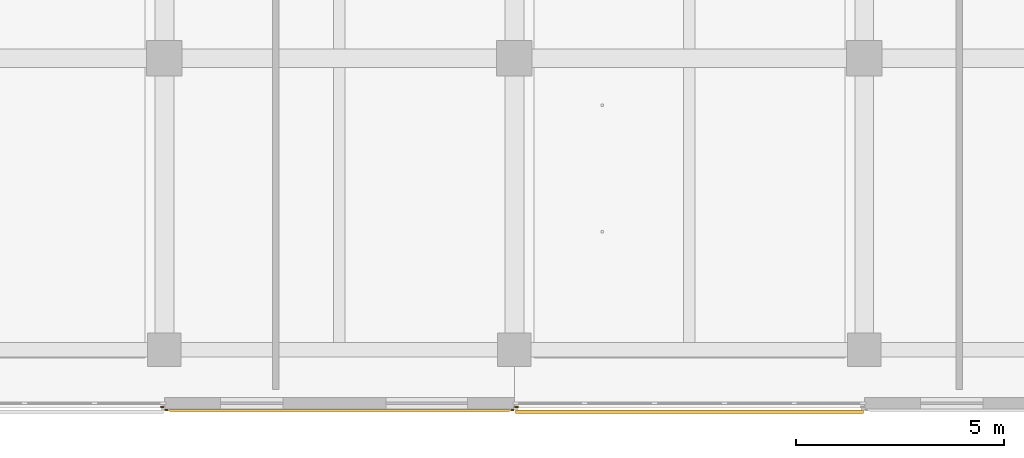
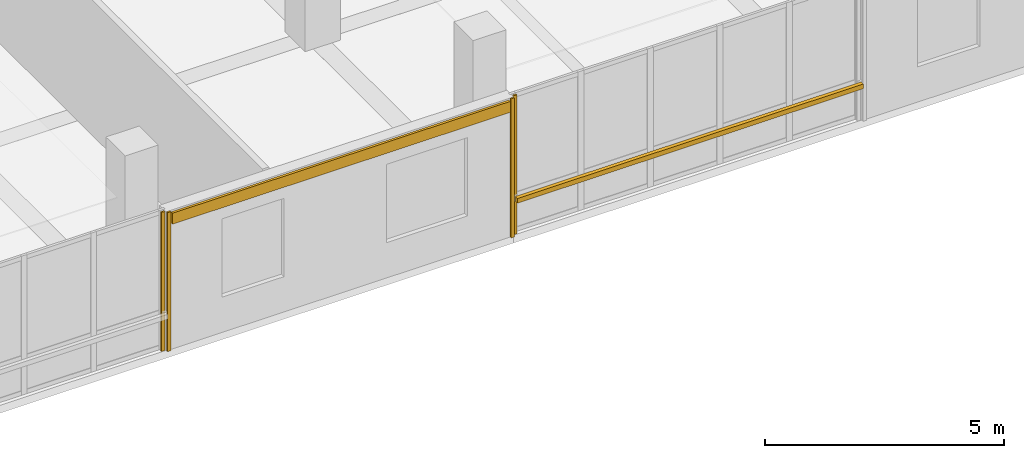
# One storey, part 24 of 36: 5 coverings, 1 shading device.
"""IFC4 building model written with IfcOpenShell, lengths in metres."""

import ifcopenshell
import ifcopenshell.guid

model = None  # the IFC model being written
_history = None  # IfcOwnerHistory: only IFC2X3 demands one
_inside = {}  # id of a spatial element -> (the spatial element, [elements in it])
_under = {}  # id of a project, library or spatial element -> (it, [spatial elements below it])
_declared = {}  # id of a project -> (the project, [libraries it declares])
_typed = {}  # id of a type object -> (the type object, [elements of that type])
_made_of = {}  # id of a material, layer set ... -> (it, [elements and type objects made of it])


def new_model(schema):
    """Start an empty IFC model of exactly this schema.

    Asked for "IFC4X3", IfcOpenShell would pick the latest addendum, in which some entities
    have other attributes; the version numbers below select the first issue.
    IFC2X3 requires an IfcOwnerHistory on every rooted entity: one is made here for all.
    """
    global model, _history
    if schema == "IFC4X3":
        model = ifcopenshell.file(schema_version=(4, 3, 0, 0))
    else:
        model = ifcopenshell.file(schema=schema)
    _inside.clear()
    _under.clear()
    _declared.clear()
    _typed.clear()
    _made_of.clear()
    _history = None
    if model.schema == "IFC2X3":
        org = make("IfcOrganization", Name="unknown")
        user = make(
            "IfcPersonAndOrganization",
            ThePerson=make("IfcPerson", FamilyName="unknown"),
            TheOrganization=org,
        )
        app = make(
            "IfcApplication",
            ApplicationDeveloper=org,
            Version="unknown",
            ApplicationFullName="unknown",
            ApplicationIdentifier="unknown",
        )
        _history = make(
            "IfcOwnerHistory",
            OwningUser=user,
            OwningApplication=app,
            ChangeAction="ADDED",
            CreationDate=0,
        )
    return model


def make(cls, **values):
    """One entity of the class cls with the attributes given. An attribute that is None is left unset."""
    return model.create_entity(
        cls, **{name: value for name, value in values.items() if value is not None}
    )


def rooted(cls, **values):
    """An entity with a GlobalId (a new one), such as an element, a storey or a relation."""
    return make(cls, GlobalId=ifcopenshell.guid.new(), OwnerHistory=_history, **values)


def si_unit(unit_type, name, prefix=None):
    """IfcSIUnit, for example si_unit("LENGTHUNIT", "METRE", prefix="MILLI")."""
    return make("IfcSIUnit", UnitType=unit_type, Prefix=prefix, Name=name)


def assignment(units):
    """IfcUnitAssignment: the units of a project."""
    return None if units is None else make("IfcUnitAssignment", Units=units)


def point(xyz):
    """IfcCartesianPoint."""
    return None if xyz is None else make("IfcCartesianPoint", Coordinates=xyz)


def direction(xyz):
    """IfcDirection."""
    return None if xyz is None else make("IfcDirection", DirectionRatios=xyz)


def frame(location, z_axis=None, x_axis=None):
    """IfcAxis2Placement3D, a coordinate frame: its origin and axes. An axis left out is left unset."""
    return make(
        "IfcAxis2Placement3D",
        Location=point(location),
        Axis=direction(z_axis),
        RefDirection=direction(x_axis),
    )


def frame_2d(location, x_axis=None):
    """IfcAxis2Placement2D, a coordinate frame in the plane: its origin and x axis."""
    return make(
        "IfcAxis2Placement2D", Location=point(location), RefDirection=direction(x_axis)
    )


def origin():
    """The frame at (0, 0, 0) with its axes left unset."""
    return frame((0.0, 0.0, 0.0))


def origin_2d():
    """The frame at (0, 0) in the plane with its x axis left unset."""
    return frame_2d((0.0, 0.0))


def place(relative_to, where):
    """IfcLocalPlacement: puts the frame where relative to a parent placement (None: the world)."""
    return make(
        "IfcLocalPlacement", PlacementRelTo=relative_to, RelativePlacement=where
    )


def context(
    kind, dimensions, precision=None, world=None, true_north=None, identifier=None
):
    """IfcGeometricRepresentationContext, for example the 3D "Model" context."""
    return make(
        "IfcGeometricRepresentationContext",
        ContextIdentifier=identifier,
        ContextType=kind,
        CoordinateSpaceDimension=dimensions,
        Precision=precision,
        WorldCoordinateSystem=world,
        TrueNorth=true_north,
    )


def subcontext(parent, identifier, kind, view, scale=None):
    """IfcGeometricRepresentationSubContext, for example "Body" below "Model"."""
    return make(
        "IfcGeometricRepresentationSubContext",
        ContextIdentifier=identifier,
        ContextType=kind,
        ParentContext=parent,
        TargetScale=scale,
        TargetView=view,
    )


def project(units=None, contexts=None):
    """IfcProject with its units and contexts."""
    return rooted(
        "IfcProject",
        Name="project",
        RepresentationContexts=contexts,
        UnitsInContext=assignment(units),
    )


def spatial(cls, under=None, at=None, **own):
    """A site, building, storey or space (cls), placed at a placement, below another one or the project."""
    s = rooted(cls, ObjectPlacement=at, **own)
    if under is not None:
        _under.setdefault(under.id(), (under, []))[1].append(s)
    return s


def profile(cls, at=None, kind="AREA", **sizes):
    """A parametric profile (cls). Its sizes go by their IFC names, for example OverallWidth=200.0."""
    return make(cls, ProfileType=kind, Position=at, **sizes)


def rectangle(**sizes):
    """IfcRectangleProfileDef."""
    return profile("IfcRectangleProfileDef", **sizes)


def extrude(swept, where, along, depth):
    """IfcExtrudedAreaSolid: the profile swept, set in the frame where, extruded along a direction by depth."""
    return make(
        "IfcExtrudedAreaSolid",
        SweptArea=swept,
        Position=where,
        ExtrudedDirection=direction(along),
        Depth=depth,
    )


def shape(context_of_items, identifier, shape_type, items):
    """IfcShapeRepresentation: the items that make up one representation, for example the "Body"."""
    return make(
        "IfcShapeRepresentation",
        ContextOfItems=context_of_items,
        RepresentationIdentifier=identifier,
        RepresentationType=shape_type,
        Items=items,
    )


def material(Name=None, Category=None):
    """IfcMaterial."""
    return make("IfcMaterial", Name=Name, Category=Category)


def layer(
    of_material, thickness, ventilated=None, Name=None, Category=None, Priority=None
):
    """IfcMaterialLayer: one layer of a wall or slab, of a material (None: an air gap)."""
    return make(
        "IfcMaterialLayer",
        Material=of_material,
        LayerThickness=thickness,
        IsVentilated=ventilated,
        Name=Name,
        Category=Category,
        Priority=Priority,
    )


def layer_set(layers, Name=None):
    """IfcMaterialLayerSet."""
    return make("IfcMaterialLayerSet", MaterialLayers=layers, LayerSetName=Name)


def made_of(thing, what):
    """Note that an element or type object is made of a material, layer set ...; save() writes the relation."""
    if what is not None:
        _made_of.setdefault(what.id(), (what, []))[1].append(thing)
    return thing


def type_object(cls, material=None, **own):
    """A type object (cls), such as IfcWallType, which elements share."""
    return made_of(rooted(cls, **own), material)


def element(
    cls,
    number,
    at=None,
    inside=None,
    cuts=None,
    type_object=None,
    material=None,
    context=None,
    identifier="Body",
    shape_type=None,
    held_by="IfcProductDefinitionShape",
    body=None,
    shapes=None,
    **own,
):
    """One element of the class cls, such as IfcWall. Its Tag is "e" and its number.

    at: its placement. inside: the storey or other place that contains it. cuts: it is an
    opening in that element (IfcRelVoidsElement). A single representation is given by context,
    identifier, shape_type and body (its items); several are given by shapes. held_by: the class
    of the entity that holds the representations. save() writes the other relations.
    """
    e = rooted(cls, Tag="e%d" % number, ObjectPlacement=at, **own)
    if body is not None:
        shapes = [shape(context, identifier, shape_type, body)]
    if shapes is not None:
        e.Representation = make(held_by, Representations=shapes)
    if inside is not None:
        _inside.setdefault(inside.id(), (inside, []))[1].append(e)
    if cuts is not None:
        rooted(
            "IfcRelVoidsElement", RelatingBuildingElement=cuts, RelatedOpeningElement=e
        )
    if type_object is not None:
        _typed.setdefault(type_object.id(), (type_object, []))[1].append(e)
    return made_of(e, material)


def aggregate(whole, parts):
    """IfcRelAggregates: a whole, such as a stair, and the parts it consists of."""
    return rooted("IfcRelAggregates", RelatingObject=whole, RelatedObjects=parts)


def save(model, path):
    """Write the relations noted so far, then the file.

    IfcRelAggregates (storeys below a building ...), IfcRelContainedInSpatialStructure (elements
    in a storey), IfcRelDefinesByType, IfcRelAssociatesMaterial and IfcRelDeclares: one each for
    every whole, place, type object, material and project.
    """
    for whole, parts in _under.values():
        aggregate(whole, parts)
    for where, things in _inside.values():
        rooted(
            "IfcRelContainedInSpatialStructure",
            RelatedElements=things,
            RelatingStructure=where,
        )
    for kind, things in _typed.values():
        rooted("IfcRelDefinesByType", RelatedObjects=things, RelatingType=kind)
    for what, things in _made_of.values():
        rooted("IfcRelAssociatesMaterial", RelatedObjects=things, RelatingMaterial=what)
    for by, libraries in _declared.values():
        rooted("IfcRelDeclares", RelatingContext=by, RelatedDefinitions=libraries)
    model.write(path)


model = new_model("IFC4")

# Units and contexts
model_context = context("Model", 3, precision=1e-05, world=origin(), true_north=direction((0.0, 1.0)))
body_context = subcontext(model_context, "Body", "Model", "MODEL_VIEW")
ifc_project = project(units=[si_unit("LENGTHUNIT", "METRE"), si_unit("AREAUNIT", "SQUARE_METRE"), si_unit("VOLUMEUNIT", "CUBIC_METRE"), si_unit("PLANEANGLEUNIT", "RADIAN"), si_unit("MASSUNIT", "GRAM", prefix="KILO")], contexts=[model_context])

# Site, building, storey
site_placement = place(None, origin())
site = spatial("IfcSite", under=ifc_project, at=site_placement, CompositionType="ELEMENT")
building_placement = place(site_placement, origin())
building = spatial("IfcBuilding", under=site, at=building_placement, Name="Telukmera Botanical Conservatory", CompositionType="ELEMENT")
storey_placement = place(building_placement, frame((0.0, 0.0, 33.0)))
storey = spatial("IfcBuildingStorey", under=building, at=storey_placement, Name="L07", CompositionType="ELEMENT", Elevation=33.0)

# Coverings
ifc_material_1 = material(Name="Granite-faced precast concrete C40/50", Category="masonry")
ifc_layer_1 = layer(ifc_material_1, 0.0400390625)
ifc_layer_set_1 = layer_set([ifc_layer_1], Name="Granite-faced precast concrete C40/50")
covering_type_1 = type_object("IfcCoveringType", Name="Granite Precast Column Pier Reveal Casing", PredefinedType="CLADDING", material=ifc_layer_set_1)
for number, where, z_axis, x_axis, name in (
    (1, (67.14794921875, 9.22998046875, 0.0), (0.0, 0.0, 1.0), (1.0, 0.0, 0.0), "Granite Pier Reveal V4:L07:S2 R"),
    (2, (67.251953125, 9.159912109375, 0.0), (0.0, 0.0, 1.0), (1.0, 0.0, 0.0), "Granite Pier Reveal V4:L07:S3 L"),
    (3, (75.548095703125, 9.159912109375, 0.0), (0.0, 0.0, 1.0), (1.0, 0.0, 0.0), "Granite Pier Reveal V4:L07:S3 R"),
    (4, (75.652099609375, 9.22998046875, 0.0), (0.0, 0.0, 1.0), (1.0, 0.0, 0.0), "Granite Pier Reveal V4:L07:S4 L"),
):
    element("IfcCovering", number, at=place(storey_placement, frame(where, z_axis=z_axis, x_axis=x_axis)), inside=storey, type_object=covering_type_1, Name=name, PredefinedType="CLADDING", context=body_context, shape_type="SweptSolid", body=[
        extrude(rectangle(XDim=0.080078125, YDim=0.0400390625, at=origin_2d()), origin(), (0.0, 0.0, 1.0), 3.550048828125),
    ])

# Shading device
ifc_material_2 = material(Name="Perforated terracotta-anodised aluminium 6063-T6", Category="masonry")
ifc_layer_2 = layer(ifc_material_2, 0.044921875)
ifc_layer_set_2 = layer_set([ifc_layer_2], Name="Perforated terracotta-anodised aluminium 6063-T6")
shading_device_type = type_object("IfcShadingDeviceType", Name="Perforated Terracotta Aluminium Monsoon Brise Soleil", PredefinedType="JALOUSIE", material=ifc_layer_set_2)
shading_device_placement = place(storey_placement, frame((79.800048828125, 9.114990234375, 0.889892578125), z_axis=(0.0, 0.0, 1.0), x_axis=(1.0, 0.0, 0.0)))
element("IfcShadingDevice", 5, at=shading_device_placement, inside=storey, type_object=shading_device_type, Name="Monsoon Shading BS01 V4:L07:S4", PredefinedType="JALOUSIE", context=body_context, shape_type="SweptSolid", body=[
    extrude(rectangle(XDim=8.35595703125, YDim=0.090087890625, at=origin_2d()), origin(), (0.0, 0.0, 1.0), 0.1201171875),
])

# Covering
ifc_material_3 = material(Name="Terracotta-faced precast concrete C40/50", Category="masonry")
ifc_layer_3 = layer(ifc_material_3, 0.06005859375)
ifc_layer_set_3 = layer_set([ifc_layer_3], Name="Terracotta-faced precast concrete C40/50")
covering_type_2 = type_object("IfcCoveringType", Name="Polychrome Terracotta Facade Band Cladding", PredefinedType="CLADDING", material=ifc_layer_set_3)
covering_placement = place(storey_placement, frame((71.39990234375, 9.14990234375, 3.22998046875), z_axis=(0.0, 0.0, 1.0), x_axis=(1.0, 0.0, 0.0)))
element("IfcCovering", 6, at=covering_placement, inside=storey, type_object=covering_type_2, Name="Polychrome Terracotta Band V4:L07:S3", PredefinedType="CLADDING", context=body_context, shape_type="SweptSolid", body=[
    extrude(rectangle(XDim=8.156005859375, YDim=0.06005859375, at=origin_2d()), origin(), (0.0, 0.0, 1.0), 0.280029296875),
])

save(model, "model.ifc")
